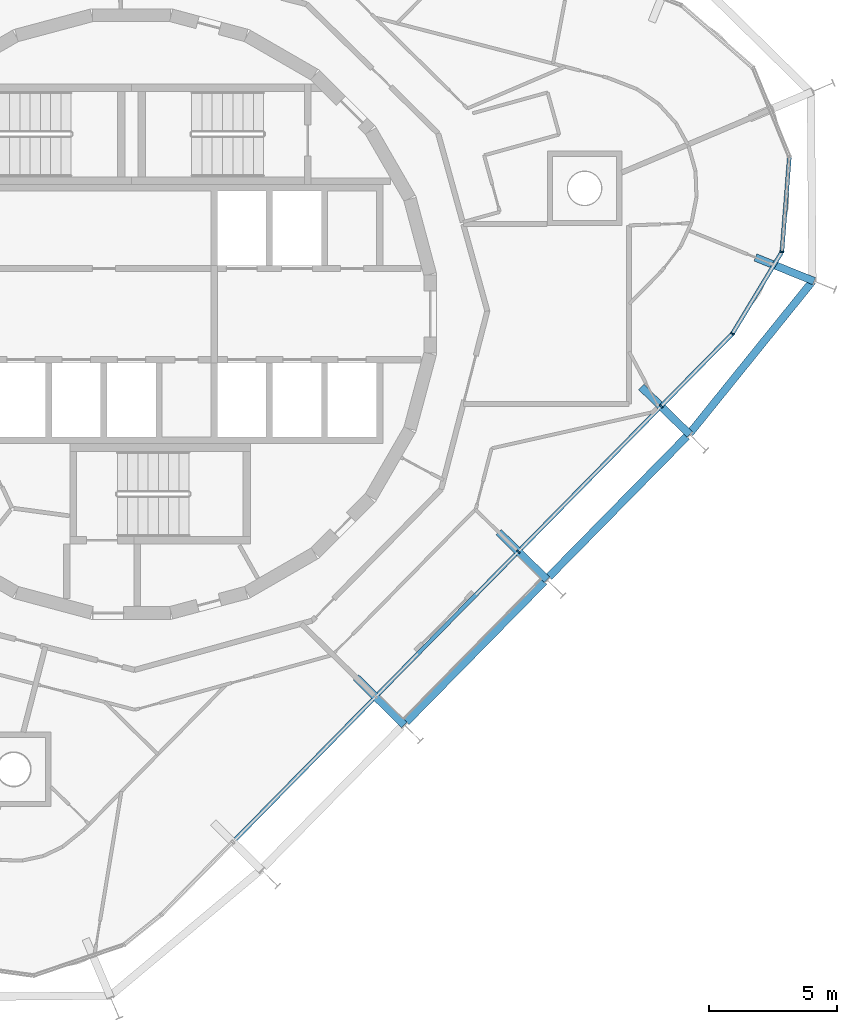
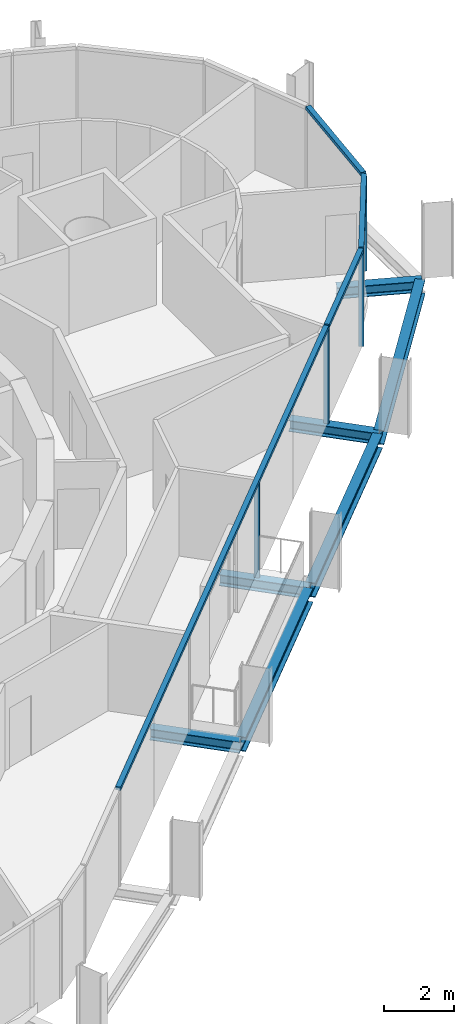
# One storey, part 4 of 15: 8 members, 7 beams, 2 elements without a shape of their own.
"""IFC4 building model written with IfcOpenShell, lengths in metres."""

from ifc_helpers import new_model, si_unit, direction, frame, origin, origin_2d, place, context, subcontext, project, spatial, rectangle, i_section, extrude, material, layer, layer_set, material_profile, profile_set, type_object, element, aggregate, save


model = new_model("IFC4")

# Units and contexts
model_context = context("Model", 3, precision=1e-05, world=origin(), true_north=direction((0.0, 1.0)))
body_context = subcontext(model_context, "Body", "Model", "MODEL_VIEW")
ifc_project = project(units=[si_unit("LENGTHUNIT", "METRE"), si_unit("AREAUNIT", "SQUARE_METRE"), si_unit("VOLUMEUNIT", "CUBIC_METRE"), si_unit("PLANEANGLEUNIT", "RADIAN"), si_unit("MASSUNIT", "GRAM", prefix="KILO")], contexts=[model_context])

# Site, building, storey
site_placement = place(None, origin())
site = spatial("IfcSite", under=ifc_project, at=site_placement, CompositionType="ELEMENT")
building_placement = place(site_placement, origin())
building = spatial("IfcBuilding", under=site, at=building_placement, Name="Spindle Arch Residences", CompositionType="ELEMENT")
storey_placement = place(building_placement, frame((0.0, 0.0, 322.699951171875)))
storey = spatial("IfcBuildingStorey", under=building, at=storey_placement, Name="L83", CompositionType="ELEMENT", Elevation=322.699951171875)

# Curtain wall, members
ifc_material_1 = material(Name="Aluminium bronze unitised frame with tinted glass", Category="aluminium")
ifc_layer_1 = layer(ifc_material_1, 0.159912109375)
ifc_layer_set_1 = layer_set([ifc_layer_1], Name="CW-D corner wall on the fillet arcs")
curtain_wall_type_1 = type_object("IfcCurtainWallType", Name="CW-D corner wall on the fillet arcs", PredefinedType="NOTDEFINED", material=ifc_layer_set_1)
curtain_wall_1_placement = place(storey_placement, origin())
curtain_wall_1 = element("IfcCurtainWall", 1, at=curtain_wall_1_placement, inside=storey, type_object=curtain_wall_type_1, Name="CW-D L83 run 1", PredefinedType="NOTDEFINED")
ifc_material_2 = material(Name="Aluminium bronze anodised mullion", Category="aluminium")
ifc_material_profile_1 = material_profile(ifc_material_2, rectangle(XDim=0.159912109375, YDim=0.06005859375, at=origin_2d()), Name="MU 60x160")
ifc_profile_set_1 = profile_set([ifc_material_profile_1], Name="Aluminium bronze anodised mullion")
member_type_1 = type_object("IfcMemberType", Name="Bronze mullion 60x160", PredefinedType="MULLION", material=ifc_profile_set_1)
member_1_placement = place(storey_placement, frame((20.642333984375, -3.597412109375, -0.3798828125), z_axis=(0.0, 0.0, 1.0), x_axis=(-0.713250449154, 0.7009092643, 0.0)))
member_1 = element("IfcMember", 2, at=member_1_placement, type_object=member_type_1, Name="CW-D mullion 00", PredefinedType="MULLION", context=body_context, shape_type="SweptSolid", body=[
    extrude(rectangle(XDim=0.159912109375, YDim=0.06005859375, at=origin_2d()), origin(), (0.0, 0.0, 1.0), 3.309814453125),
])
member_2_placement = place(storey_placement, frame((23.42578125, -0.76513671875, -0.3798828125), z_axis=(0.0, 0.0, 1.0), x_axis=(-0.855665492936, 0.517529288252, 0.0)))
member_2 = element("IfcMember", 3, at=member_2_placement, type_object=member_type_1, Name="CW-D mullion 01", PredefinedType="MULLION", context=body_context, shape_type="SweptSolid", body=[
    extrude(rectangle(XDim=0.159912109375, YDim=0.06005859375, at=origin_2d()), origin(), (0.0, 0.0, 1.0), 3.309814453125),
])
member_3_placement = place(storey_placement, frame((25.3544921875, 2.423828125, -0.3798828125), z_axis=(0.0, 0.0, 1.0), x_axis=(-0.996917334032, 0.078459091935, 0.0)))
member_3 = element("IfcMember", 4, at=member_3_placement, type_object=member_type_1, Name="CW-D mullion 02", PredefinedType="MULLION", context=body_context, shape_type="SweptSolid", body=[
    extrude(rectangle(XDim=0.159912109375, YDim=0.06005859375, at=origin_2d()), origin(), (0.0, 0.0, 1.0), 3.309814453125),
])

# Curtain wall, member
ifc_material_3 = material(Name="Aluminium bronze unitised frame with tinted glass", Category="aluminium")
ifc_layer_2 = layer(ifc_material_3, 0.159912109375)
ifc_layer_set_2 = layer_set([ifc_layer_2], Name="CW-C typical residential unitised wall")
curtain_wall_type_2 = type_object("IfcCurtainWallType", Name="CW-C typical residential unitised wall", PredefinedType="NOTDEFINED", material=ifc_layer_set_2)
curtain_wall_2_placement = place(storey_placement, origin())
curtain_wall_2 = element("IfcCurtainWall", 5, at=curtain_wall_2_placement, inside=storey, type_object=curtain_wall_type_2, Name="CW-C L83 run 6", PredefinedType="NOTDEFINED")
member_4_placement = place(storey_placement, frame((15.08056640625, -9.257080078125, -0.3798828125), z_axis=(0.0, 0.0, 1.0), x_axis=(-0.713250449154, 0.7009092643, 0.0)))
member_4 = element("IfcMember", 6, at=member_4_placement, type_object=member_type_1, Name="CW-C mullion 00", PredefinedType="MULLION", context=body_context, shape_type="SweptSolid", body=[
    extrude(rectangle(XDim=0.159912109375, YDim=0.06005859375, at=origin_2d()), origin(), (0.0, 0.0, 1.0), 3.309814453125),
])

# Member
ifc_material_4 = material(Name="Aluminium bronze anodised transom", Category="aluminium")
ifc_material_profile_2 = material_profile(ifc_material_4, rectangle(XDim=0.159912109375, YDim=0.1201171875, at=origin_2d()), Name="TR 120x160")
ifc_profile_set_2 = profile_set([ifc_material_profile_2], Name="Aluminium bronze anodised transom")
member_type_2 = type_object("IfcMemberType", Name="Bronze transom 120x160", PredefinedType="USERDEFINED", material=ifc_profile_set_2)
member_5_placement = place(storey_placement, frame((20.663330078125, -3.575927734375, 2.989990234375), z_axis=(0.70089977121, 0.713259777863, 0.0), x_axis=(-0.713259777863, 0.70089977121, 0.0)))
member_5 = element("IfcMember", 7, at=member_5_placement, type_object=member_type_2, Name="CW-D transom 00", ObjectType="TRANSOM", PredefinedType="USERDEFINED", context=body_context, shape_type="SweptSolid", body=[
    extrude(rectangle(XDim=0.159912109375, YDim=0.1201171875, at=origin_2d()), origin(), (0.0, 0.0, 1.0), 3.910888671875),
])

member_6_placement = place(storey_placement, frame((23.441162109375, -0.739501953125, 2.989990234375), z_axis=(0.517517977751, 0.855672333726, 0.0), x_axis=(-0.855672333726, 0.517517977751, 0.0)))
member_6 = element("IfcMember", 8, at=member_6_placement, type_object=member_type_2, Name="CW-D transom 01", ObjectType="TRANSOM", PredefinedType="USERDEFINED", context=body_context, shape_type="SweptSolid", body=[
    extrude(rectangle(XDim=0.159912109375, YDim=0.1201171875, at=origin_2d()), origin(), (0.0, 0.0, 1.0), 3.6669921875),
])

member_7_placement = place(storey_placement, frame((25.356689453125, 2.45361328125, 2.989990234375), z_axis=(0.078498754798, 0.996914211703, 0.0), x_axis=(-0.996914211703, 0.078498754798, 0.0)))
member_7 = element("IfcMember", 9, at=member_7_placement, type_object=member_type_2, Name="CW-D transom 02", ObjectType="TRANSOM", PredefinedType="USERDEFINED", context=body_context, shape_type="SweptSolid", body=[
    extrude(rectangle(XDim=0.159912109375, YDim=0.1201171875, at=origin_2d()), origin(), (0.0, 0.0, 1.0), 3.666748046875),
])

aggregate(curtain_wall_1, [member_1, member_5, member_2, member_6, member_3, member_7])

member_8_placement = place(storey_placement, frame((3.97802734375, -20.55517578125, 2.989990234375), z_axis=(0.700905736119, 0.71325391627, 0.0), x_axis=(-0.71325391627, 0.700905736119, 0.0)))
member_8 = element("IfcMember", 10, at=member_8_placement, type_object=member_type_2, Name="CW-C transom 00", ObjectType="TRANSOM", PredefinedType="USERDEFINED", context=body_context, shape_type="SweptSolid", body=[
    extrude(rectangle(XDim=0.159912109375, YDim=0.1201171875, at=origin_2d()), origin(), (0.0, 0.0, 1.0), 23.745361328125),
])

aggregate(curtain_wall_2, [member_8, member_4])

# Beams
ifc_material_5 = material(Name="Steel S460ML, intumescent coating R 120", Category="steel")
ifc_material_profile_3 = material_profile(ifc_material_5, i_section(OverallWidth=0.300048828125, OverallDepth=0.5, WebThickness=0.014404296875, FlangeThickness=0.028076171875, FilletRadius=0.027099609375, at=origin_2d()), Name="HEB 500")
ifc_profile_set_3 = profile_set([ifc_material_profile_3], Name="Steel S460ML, intumescent coating R 120")
beam_type_1 = type_object("IfcBeamType", Name="Exoskeleton edge beam HEB 500", PredefinedType="BEAM", material=ifc_profile_set_3)
beam_1_placement = place(storey_placement, frame((16.270263671875, -10.24365234375, -0.6298828125), z_axis=(0.700908648812, 0.713251053992, 0.0), x_axis=(-0.713251053992, 0.700908648812, 0.0)))
element("IfcBeam", 11, at=beam_1_placement, inside=storey, type_object=beam_type_1, Name="Exoskeleton edge beam 1", PredefinedType="BEAM", context=body_context, shape_type="SweptSolid", body=[
    extrude(i_section(OverallWidth=0.300048828125, OverallDepth=0.5, WebThickness=0.014404296875, FlangeThickness=0.028076171875, FilletRadius=0.027099609375, at=origin_2d()), origin(), (0.0, 0.0, 1.0), 7.6748046875),
])
beam_2_placement = place(storey_placement, frame((21.763427734375, -4.648681640625, -0.6298828125), z_axis=(0.627986894279, 0.778223914188, 0.0), x_axis=(-0.778223914188, 0.627986894279, 0.0)))
element("IfcBeam", 12, at=beam_2_placement, inside=storey, type_object=beam_type_1, Name="Exoskeleton edge beam 2", PredefinedType="BEAM", context=body_context, shape_type="SweptSolid", body=[
    extrude(i_section(OverallWidth=0.300048828125, OverallDepth=0.5, WebThickness=0.014404296875, FlangeThickness=0.028076171875, FilletRadius=0.027099609375, at=origin_2d()), origin(), (0.0, 0.0, 1.0), 7.611572265625),
])
beam_3_placement = place(storey_placement, frame((10.70849609375, -15.9033203125, -0.6298828125), z_axis=(0.700908648812, 0.713251053992, 0.0), x_axis=(-0.713251053992, 0.700908648812, 0.0)))
element("IfcBeam", 13, at=beam_3_placement, inside=storey, type_object=beam_type_1, Name="Exoskeleton edge beam 20", PredefinedType="BEAM", context=body_context, shape_type="SweptSolid", body=[
    extrude(i_section(OverallWidth=0.300048828125, OverallDepth=0.5, WebThickness=0.014404296875, FlangeThickness=0.028076171875, FilletRadius=0.027099609375, at=origin_2d()), origin(), (0.0, 0.0, 1.0), 7.6748046875),
])
ifc_material_6 = material(Name="Steel S460ML, intumescent coating R 120", Category="steel")
ifc_material_profile_4 = material_profile(ifc_material_6, i_section(OverallWidth=0.300048828125, OverallDepth=0.389892578125, WebThickness=0.010986328125, FlangeThickness=0.01904296875, FilletRadius=0.027099609375, at=origin_2d()), Name="HEA 400")
ifc_profile_set_4 = profile_set([ifc_material_profile_4], Name="Steel S460ML, intumescent coating R 120")
beam_type_2 = type_object("IfcBeamType", Name="Floor outrigger HEA 400", PredefinedType="BEAM", material=ifc_profile_set_4)
for number, where, z_axis, x_axis, name in (
    (14, (16.200439453125, -10.357421875, -0.574951171875), (-0.713252393258, 0.70090728596, 0.0), (-0.70090728596, -0.713252393258, 0.0), "Floor outrigger 1"),
    (15, (21.76220703125, -4.69775390625, -0.574951171875), (-0.713252393258, 0.70090728596, 0.0), (-0.70090728596, -0.713252393258, 0.0), "Floor outrigger 2"),
):
    element("IfcBeam", number, at=place(storey_placement, frame(where, z_axis=z_axis, x_axis=x_axis)), inside=storey, type_object=beam_type_2, Name=name, PredefinedType="BEAM", context=body_context, shape_type="SweptSolid", body=[
        extrude(i_section(OverallWidth=0.300048828125, OverallDepth=0.389892578125, WebThickness=0.010986328125, FlangeThickness=0.01904296875, FilletRadius=0.027099609375, at=origin_2d()), origin(), (0.0, 0.0, 1.0), 2.650146484375),
    ])
beam_4_placement = place(storey_placement, frame((26.609130859375, 1.281494140625, -0.574951171875), z_axis=(-0.927112260651, 0.374783745846, 0.0), x_axis=(-0.374783745846, -0.927112260651, 0.0)))
element("IfcBeam", 16, at=beam_4_placement, inside=storey, type_object=beam_type_2, Name="Floor outrigger 3", PredefinedType="BEAM", context=body_context, shape_type="SweptSolid", body=[
    extrude(i_section(OverallWidth=0.300048828125, OverallDepth=0.389892578125, WebThickness=0.010986328125, FlangeThickness=0.01904296875, FilletRadius=0.027099609375, at=origin_2d()), origin(), (0.0, 0.0, 1.0), 2.466796875),
])
beam_5_placement = place(storey_placement, frame((10.638671875, -16.01708984375, -0.574951171875), z_axis=(-0.713298451505, 0.700860413407, 0.0), x_axis=(-0.700860413407, -0.713298451505, 0.0)))
element("IfcBeam", 17, at=beam_5_placement, inside=storey, type_object=beam_type_2, Name="Floor outrigger 20", PredefinedType="BEAM", context=body_context, shape_type="SweptSolid", body=[
    extrude(i_section(OverallWidth=0.300048828125, OverallDepth=0.389892578125, WebThickness=0.010986328125, FlangeThickness=0.01904296875, FilletRadius=0.027099609375, at=origin_2d()), origin(), (0.0, 0.0, 1.0), 2.64990234375),
])

save(model, "model.ifc")
